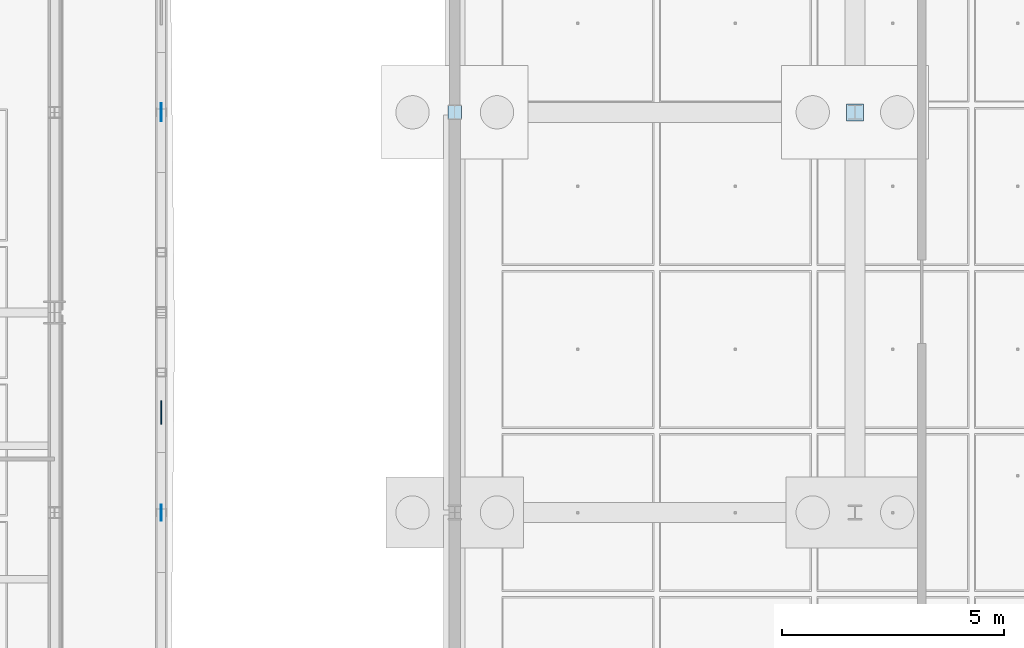
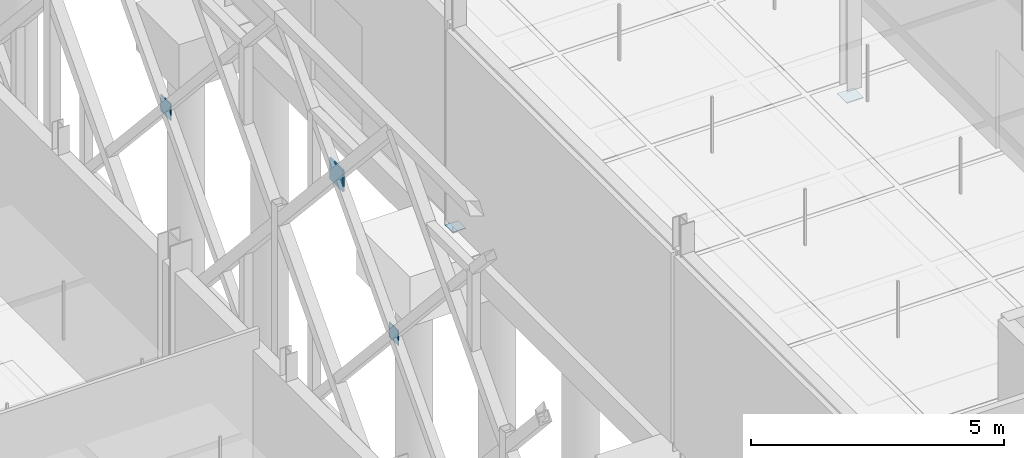
# One storey, part 83 of 180: 5 plates.
"""IFC4 building model written with IfcOpenShell, lengths in metres."""

import ifcopenshell
import ifcopenshell.guid

model = None  # the IFC model being written
_history = None  # IfcOwnerHistory: only IFC2X3 demands one
_inside = {}  # id of a spatial element -> (the spatial element, [elements in it])
_under = {}  # id of a project, library or spatial element -> (it, [spatial elements below it])
_declared = {}  # id of a project -> (the project, [libraries it declares])
_typed = {}  # id of a type object -> (the type object, [elements of that type])
_made_of = {}  # id of a material, layer set ... -> (it, [elements and type objects made of it])


def new_model(schema):
    """Start an empty IFC model of exactly this schema.

    Asked for "IFC4X3", IfcOpenShell would pick the latest addendum, in which some entities
    have other attributes; the version numbers below select the first issue.
    IFC2X3 requires an IfcOwnerHistory on every rooted entity: one is made here for all.
    """
    global model, _history
    if schema == "IFC4X3":
        model = ifcopenshell.file(schema_version=(4, 3, 0, 0))
    else:
        model = ifcopenshell.file(schema=schema)
    _inside.clear()
    _under.clear()
    _declared.clear()
    _typed.clear()
    _made_of.clear()
    _history = None
    if model.schema == "IFC2X3":
        org = make("IfcOrganization", Name="unknown")
        user = make(
            "IfcPersonAndOrganization",
            ThePerson=make("IfcPerson", FamilyName="unknown"),
            TheOrganization=org,
        )
        app = make(
            "IfcApplication",
            ApplicationDeveloper=org,
            Version="unknown",
            ApplicationFullName="unknown",
            ApplicationIdentifier="unknown",
        )
        _history = make(
            "IfcOwnerHistory",
            OwningUser=user,
            OwningApplication=app,
            ChangeAction="ADDED",
            CreationDate=0,
        )
    return model


def make(cls, **values):
    """One entity of the class cls with the attributes given. An attribute that is None is left unset."""
    return model.create_entity(
        cls, **{name: value for name, value in values.items() if value is not None}
    )


def rooted(cls, **values):
    """An entity with a GlobalId (a new one), such as an element, a storey or a relation."""
    return make(cls, GlobalId=ifcopenshell.guid.new(), OwnerHistory=_history, **values)


def si_unit(unit_type, name, prefix=None):
    """IfcSIUnit, for example si_unit("LENGTHUNIT", "METRE", prefix="MILLI")."""
    return make("IfcSIUnit", UnitType=unit_type, Prefix=prefix, Name=name)


def assignment(units):
    """IfcUnitAssignment: the units of a project."""
    return None if units is None else make("IfcUnitAssignment", Units=units)


def point(xyz):
    """IfcCartesianPoint."""
    return None if xyz is None else make("IfcCartesianPoint", Coordinates=xyz)


def direction(xyz):
    """IfcDirection."""
    return None if xyz is None else make("IfcDirection", DirectionRatios=xyz)


def frame(location, z_axis=None, x_axis=None):
    """IfcAxis2Placement3D, a coordinate frame: its origin and axes. An axis left out is left unset."""
    return make(
        "IfcAxis2Placement3D",
        Location=point(location),
        Axis=direction(z_axis),
        RefDirection=direction(x_axis),
    )


def frame_2d(location, x_axis=None):
    """IfcAxis2Placement2D, a coordinate frame in the plane: its origin and x axis."""
    return make(
        "IfcAxis2Placement2D", Location=point(location), RefDirection=direction(x_axis)
    )


def origin():
    """The frame at (0, 0, 0) with its axes left unset."""
    return frame((0.0, 0.0, 0.0))


def origin_2d():
    """The frame at (0, 0) in the plane with its x axis left unset."""
    return frame_2d((0.0, 0.0))


def place(relative_to, where):
    """IfcLocalPlacement: puts the frame where relative to a parent placement (None: the world)."""
    return make(
        "IfcLocalPlacement", PlacementRelTo=relative_to, RelativePlacement=where
    )


def context(
    kind, dimensions, precision=None, world=None, true_north=None, identifier=None
):
    """IfcGeometricRepresentationContext, for example the 3D "Model" context."""
    return make(
        "IfcGeometricRepresentationContext",
        ContextIdentifier=identifier,
        ContextType=kind,
        CoordinateSpaceDimension=dimensions,
        Precision=precision,
        WorldCoordinateSystem=world,
        TrueNorth=true_north,
    )


def subcontext(parent, identifier, kind, view, scale=None):
    """IfcGeometricRepresentationSubContext, for example "Body" below "Model"."""
    return make(
        "IfcGeometricRepresentationSubContext",
        ContextIdentifier=identifier,
        ContextType=kind,
        ParentContext=parent,
        TargetScale=scale,
        TargetView=view,
    )


def project(units=None, contexts=None):
    """IfcProject with its units and contexts."""
    return rooted(
        "IfcProject",
        Name="project",
        RepresentationContexts=contexts,
        UnitsInContext=assignment(units),
    )


def spatial(cls, under=None, at=None, **own):
    """A site, building, storey or space (cls), placed at a placement, below another one or the project."""
    s = rooted(cls, ObjectPlacement=at, **own)
    if under is not None:
        _under.setdefault(under.id(), (under, []))[1].append(s)
    return s


def profile(cls, at=None, kind="AREA", **sizes):
    """A parametric profile (cls). Its sizes go by their IFC names, for example OverallWidth=200.0."""
    return make(cls, ProfileType=kind, Position=at, **sizes)


def rectangle(**sizes):
    """IfcRectangleProfileDef."""
    return profile("IfcRectangleProfileDef", **sizes)


def extrude(swept, where, along, depth):
    """IfcExtrudedAreaSolid: the profile swept, set in the frame where, extruded along a direction by depth."""
    return make(
        "IfcExtrudedAreaSolid",
        SweptArea=swept,
        Position=where,
        ExtrudedDirection=direction(along),
        Depth=depth,
    )


def shape(context_of_items, identifier, shape_type, items):
    """IfcShapeRepresentation: the items that make up one representation, for example the "Body"."""
    return make(
        "IfcShapeRepresentation",
        ContextOfItems=context_of_items,
        RepresentationIdentifier=identifier,
        RepresentationType=shape_type,
        Items=items,
    )


def material(Name=None, Category=None):
    """IfcMaterial."""
    return make("IfcMaterial", Name=Name, Category=Category)


def layer(
    of_material, thickness, ventilated=None, Name=None, Category=None, Priority=None
):
    """IfcMaterialLayer: one layer of a wall or slab, of a material (None: an air gap)."""
    return make(
        "IfcMaterialLayer",
        Material=of_material,
        LayerThickness=thickness,
        IsVentilated=ventilated,
        Name=Name,
        Category=Category,
        Priority=Priority,
    )


def layer_set(layers, Name=None):
    """IfcMaterialLayerSet."""
    return make("IfcMaterialLayerSet", MaterialLayers=layers, LayerSetName=Name)


def made_of(thing, what):
    """Note that an element or type object is made of a material, layer set ...; save() writes the relation."""
    if what is not None:
        _made_of.setdefault(what.id(), (what, []))[1].append(thing)
    return thing


def type_object(cls, material=None, **own):
    """A type object (cls), such as IfcWallType, which elements share."""
    return made_of(rooted(cls, **own), material)


def element(
    cls,
    number,
    at=None,
    inside=None,
    cuts=None,
    type_object=None,
    material=None,
    context=None,
    identifier="Body",
    shape_type=None,
    held_by="IfcProductDefinitionShape",
    body=None,
    shapes=None,
    **own,
):
    """One element of the class cls, such as IfcWall. Its Tag is "e" and its number.

    at: its placement. inside: the storey or other place that contains it. cuts: it is an
    opening in that element (IfcRelVoidsElement). A single representation is given by context,
    identifier, shape_type and body (its items); several are given by shapes. held_by: the class
    of the entity that holds the representations. save() writes the other relations.
    """
    e = rooted(cls, Tag="e%d" % number, ObjectPlacement=at, **own)
    if body is not None:
        shapes = [shape(context, identifier, shape_type, body)]
    if shapes is not None:
        e.Representation = make(held_by, Representations=shapes)
    if inside is not None:
        _inside.setdefault(inside.id(), (inside, []))[1].append(e)
    if cuts is not None:
        rooted(
            "IfcRelVoidsElement", RelatingBuildingElement=cuts, RelatedOpeningElement=e
        )
    if type_object is not None:
        _typed.setdefault(type_object.id(), (type_object, []))[1].append(e)
    return made_of(e, material)


def aggregate(whole, parts):
    """IfcRelAggregates: a whole, such as a stair, and the parts it consists of."""
    return rooted("IfcRelAggregates", RelatingObject=whole, RelatedObjects=parts)


def save(model, path):
    """Write the relations noted so far, then the file.

    IfcRelAggregates (storeys below a building ...), IfcRelContainedInSpatialStructure (elements
    in a storey), IfcRelDefinesByType, IfcRelAssociatesMaterial and IfcRelDeclares: one each for
    every whole, place, type object, material and project.
    """
    for whole, parts in _under.values():
        aggregate(whole, parts)
    for where, things in _inside.values():
        rooted(
            "IfcRelContainedInSpatialStructure",
            RelatedElements=things,
            RelatingStructure=where,
        )
    for kind, things in _typed.values():
        rooted("IfcRelDefinesByType", RelatedObjects=things, RelatingType=kind)
    for what, things in _made_of.values():
        rooted("IfcRelAssociatesMaterial", RelatedObjects=things, RelatingMaterial=what)
    for by, libraries in _declared.values():
        rooted("IfcRelDeclares", RelatingContext=by, RelatedDefinitions=libraries)
    model.write(path)


model = new_model("IFC4")

# Units and contexts
model_context = context("Model", 3, precision=1e-05, world=origin(), true_north=direction((0.0, 1.0)))
body_context = subcontext(model_context, "Body", "Model", "MODEL_VIEW")
ifc_project = project(units=[si_unit("LENGTHUNIT", "METRE"), si_unit("AREAUNIT", "SQUARE_METRE"), si_unit("VOLUMEUNIT", "CUBIC_METRE"), si_unit("PLANEANGLEUNIT", "RADIAN"), si_unit("MASSUNIT", "GRAM", prefix="KILO"), si_unit("THERMODYNAMICTEMPERATUREUNIT", "KELVIN"), si_unit("POWERUNIT", "WATT")], contexts=[model_context])

# Site, building, storey
site_placement = place(None, origin())
site = spatial("IfcSite", under=ifc_project, at=site_placement, CompositionType="ELEMENT")
building_placement = place(site_placement, origin())
building = spatial("IfcBuilding", under=site, at=building_placement, Name="Tallowbark Science Centre", CompositionType="ELEMENT")
storey_placement = place(building_placement, origin())
storey = spatial("IfcBuildingStorey", under=building, at=storey_placement, Name="L00", CompositionType="ELEMENT", Elevation=0.0)

# Plates
ifc_material = material(Name="Structural Steel Grade 300PLUS (300 MPa)", Category="steel")
ifc_layer_1 = layer(ifc_material, 0.010009765625)
ifc_layer_set_1 = layer_set([ifc_layer_1], Name="Structural Steel Grade 300PLUS (300 MPa)")
plate_type_1 = type_object("IfcPlateType", Name="PLT-GUS-10", PredefinedType="SHEET", material=ifc_layer_set_1)
plate_1_placement = place(storey_placement, frame((112.5, 27.0, -0.240234375), z_axis=(0.0, 0.0, 1.0), x_axis=(1.0, 0.0, 0.0)))
element("IfcPlate", 1, at=plate_1_placement, inside=storey, type_object=plate_type_1, Name="Column Baseplate THT-M0_3", PredefinedType="SHEET", context=body_context, shape_type="SweptSolid", body=[
    extrude(rectangle(XDim=0.300048828125, YDim=0.300048828125, at=origin_2d()), origin(), (0.0, 0.0, 1.0), 0.010009765625),
])
ifc_layer_2 = layer(ifc_material, 0.01611328125)
ifc_layer_set_2 = layer_set([ifc_layer_2], Name="Structural Steel Grade 300PLUS (300 MPa)")
plate_type_2 = type_object("IfcPlateType", Name="PLT-GUS-16", PredefinedType="SHEET", material=ifc_layer_set_2)
plate_2_placement = place(storey_placement, frame((105.89990234375, 18.0, 4.77001953125), z_axis=(0.0, 0.0, 1.0), x_axis=(0.0, 1.0, 0.0)))
element("IfcPlate", 2, at=plate_2_placement, inside=storey, type_object=plate_type_2, Name="Star X-Brace Crossing Gusset Plate E-12", PredefinedType="SHEET", context=body_context, shape_type="SweptSolid", body=[
    extrude(rectangle(XDim=0.360107421875, YDim=0.01611328125, at=origin_2d()), origin(), (0.0, 0.0, 1.0), 0.360107421875),
])
ifc_layer_3 = layer(ifc_material, 0.01806640625)
ifc_layer_set_3 = layer_set([ifc_layer_3], Name="Structural Steel Grade 300PLUS (300 MPa)")
plate_type_3 = type_object("IfcPlateType", Name="PLT-GUS-18", PredefinedType="SHEET", material=ifc_layer_set_3)
plate_3_placement = place(storey_placement, frame((121.5, 27.0, -0.239990234375), z_axis=(0.0, 0.0, 1.0), x_axis=(1.0, 0.0, 0.0)))
element("IfcPlate", 3, at=plate_3_placement, inside=storey, type_object=plate_type_3, Name="Column Baseplate THT-M1_3", PredefinedType="SHEET", context=body_context, shape_type="SweptSolid", body=[
    extrude(rectangle(XDim=0.3798828125, YDim=0.3798828125, at=origin_2d()), origin(), (0.0, 0.0, 1.0), 0.01806640625),
])
ifc_layer_4 = layer(ifc_material, 0.02001953125)
ifc_layer_set_4 = layer_set([ifc_layer_4], Name="Structural Steel Grade 300PLUS (300 MPa)")
plate_type_4 = type_object("IfcPlateType", Name="PLT-GUS-20", PredefinedType="SHEET", material=ifc_layer_set_4)
plate_4_placement = place(storey_placement, frame((105.89990234375, 27.0, 4.75), z_axis=(0.0, 0.0, 1.0), x_axis=(0.0, 1.0, 0.0)))
element("IfcPlate", 4, at=plate_4_placement, inside=storey, type_object=plate_type_4, Name="Star X-Brace Crossing Gusset Plate E-14", PredefinedType="SHEET", context=body_context, shape_type="SweptSolid", body=[
    extrude(rectangle(XDim=0.39990234375, YDim=0.02001953125, at=origin_2d()), origin(), (0.0, 0.0, 1.0), 0.39990234375),
])
ifc_layer_5 = layer(ifc_material, 0.031982421875)
ifc_layer_set_5 = layer_set([ifc_layer_5], Name="Structural Steel Grade 300PLUS (300 MPa)")
plate_type_5 = type_object("IfcPlateType", Name="PLT-GUS-32", PredefinedType="SHEET", material=ifc_layer_set_5)
plate_5_placement = place(storey_placement, frame((105.89990234375, 20.25, 7.1650390625), z_axis=(0.0, 0.0, 1.0), x_axis=(0.0, 1.0, 0.0)))
element("IfcPlate", 5, at=plate_5_placement, inside=storey, type_object=plate_type_5, Name="Star Primary Chord Crossing Gusset Plate E-12", PredefinedType="SHEET", context=body_context, shape_type="SweptSolid", body=[
    extrude(rectangle(XDim=0.52001953125, YDim=0.031982421875, at=origin_2d()), origin(), (0.0, 0.0, 1.0), 0.52001953125),
])

save(model, "model.ifc")
